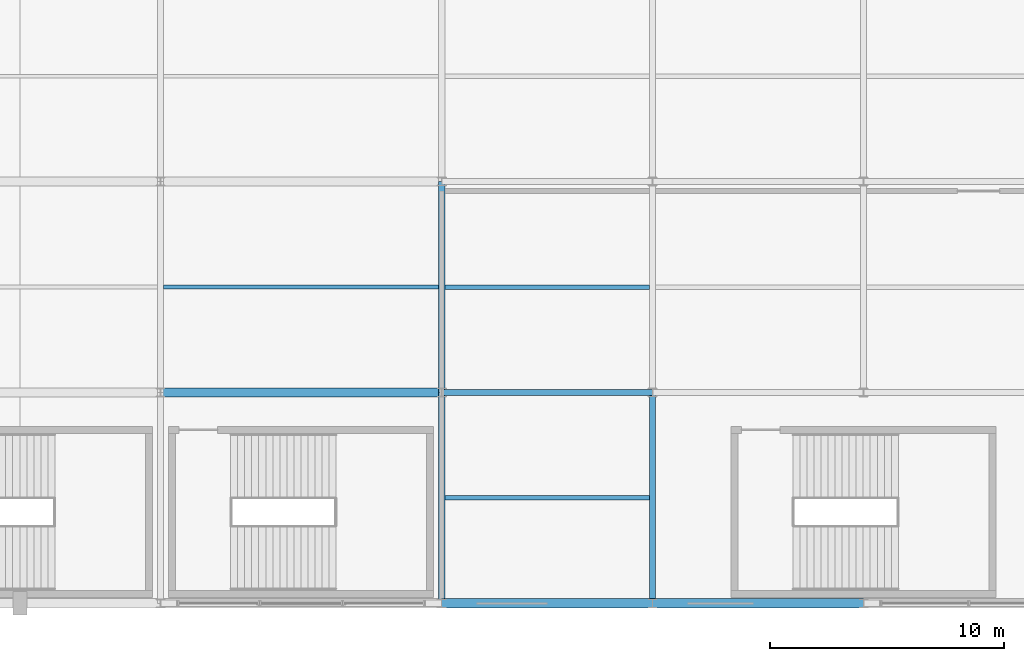
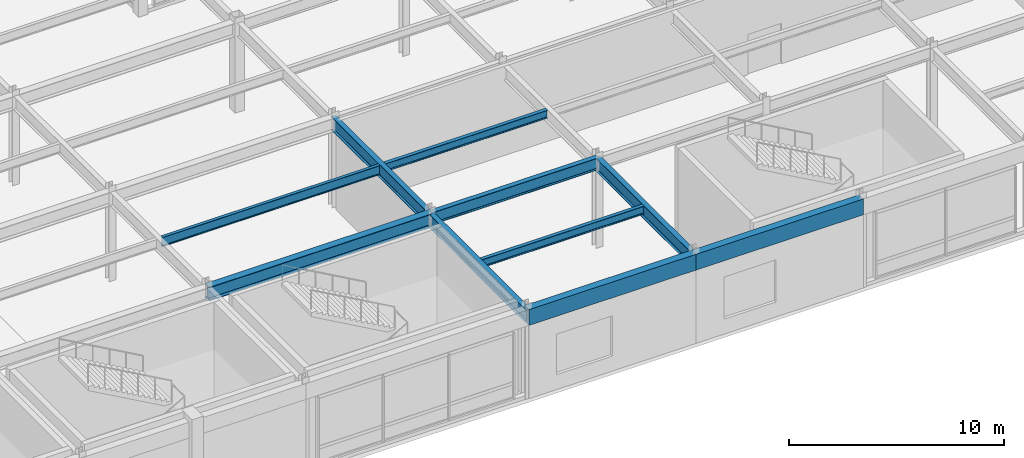
# One storey, part 39 of 100: 10 beams.
"""IFC4 building model written with IfcOpenShell, lengths in metres."""

import ifcopenshell
import ifcopenshell.guid

model = None  # the IFC model being written
_history = None  # IfcOwnerHistory: only IFC2X3 demands one
_inside = {}  # id of a spatial element -> (the spatial element, [elements in it])
_under = {}  # id of a project, library or spatial element -> (it, [spatial elements below it])
_declared = {}  # id of a project -> (the project, [libraries it declares])
_typed = {}  # id of a type object -> (the type object, [elements of that type])
_made_of = {}  # id of a material, layer set ... -> (it, [elements and type objects made of it])


def new_model(schema):
    """Start an empty IFC model of exactly this schema.

    Asked for "IFC4X3", IfcOpenShell would pick the latest addendum, in which some entities
    have other attributes; the version numbers below select the first issue.
    IFC2X3 requires an IfcOwnerHistory on every rooted entity: one is made here for all.
    """
    global model, _history
    if schema == "IFC4X3":
        model = ifcopenshell.file(schema_version=(4, 3, 0, 0))
    else:
        model = ifcopenshell.file(schema=schema)
    _inside.clear()
    _under.clear()
    _declared.clear()
    _typed.clear()
    _made_of.clear()
    _history = None
    if model.schema == "IFC2X3":
        org = make("IfcOrganization", Name="unknown")
        user = make(
            "IfcPersonAndOrganization",
            ThePerson=make("IfcPerson", FamilyName="unknown"),
            TheOrganization=org,
        )
        app = make(
            "IfcApplication",
            ApplicationDeveloper=org,
            Version="unknown",
            ApplicationFullName="unknown",
            ApplicationIdentifier="unknown",
        )
        _history = make(
            "IfcOwnerHistory",
            OwningUser=user,
            OwningApplication=app,
            ChangeAction="ADDED",
            CreationDate=0,
        )
    return model


def make(cls, **values):
    """One entity of the class cls with the attributes given. An attribute that is None is left unset."""
    return model.create_entity(
        cls, **{name: value for name, value in values.items() if value is not None}
    )


def rooted(cls, **values):
    """An entity with a GlobalId (a new one), such as an element, a storey or a relation."""
    return make(cls, GlobalId=ifcopenshell.guid.new(), OwnerHistory=_history, **values)


def si_unit(unit_type, name, prefix=None):
    """IfcSIUnit, for example si_unit("LENGTHUNIT", "METRE", prefix="MILLI")."""
    return make("IfcSIUnit", UnitType=unit_type, Prefix=prefix, Name=name)


def assignment(units):
    """IfcUnitAssignment: the units of a project."""
    return None if units is None else make("IfcUnitAssignment", Units=units)


def point(xyz):
    """IfcCartesianPoint."""
    return None if xyz is None else make("IfcCartesianPoint", Coordinates=xyz)


def direction(xyz):
    """IfcDirection."""
    return None if xyz is None else make("IfcDirection", DirectionRatios=xyz)


def frame(location, z_axis=None, x_axis=None):
    """IfcAxis2Placement3D, a coordinate frame: its origin and axes. An axis left out is left unset."""
    return make(
        "IfcAxis2Placement3D",
        Location=point(location),
        Axis=direction(z_axis),
        RefDirection=direction(x_axis),
    )


def frame_2d(location, x_axis=None):
    """IfcAxis2Placement2D, a coordinate frame in the plane: its origin and x axis."""
    return make(
        "IfcAxis2Placement2D", Location=point(location), RefDirection=direction(x_axis)
    )


def origin():
    """The frame at (0, 0, 0) with its axes left unset."""
    return frame((0.0, 0.0, 0.0))


def origin_2d():
    """The frame at (0, 0) in the plane with its x axis left unset."""
    return frame_2d((0.0, 0.0))


def place(relative_to, where):
    """IfcLocalPlacement: puts the frame where relative to a parent placement (None: the world)."""
    return make(
        "IfcLocalPlacement", PlacementRelTo=relative_to, RelativePlacement=where
    )


def context(
    kind, dimensions, precision=None, world=None, true_north=None, identifier=None
):
    """IfcGeometricRepresentationContext, for example the 3D "Model" context."""
    return make(
        "IfcGeometricRepresentationContext",
        ContextIdentifier=identifier,
        ContextType=kind,
        CoordinateSpaceDimension=dimensions,
        Precision=precision,
        WorldCoordinateSystem=world,
        TrueNorth=true_north,
    )


def subcontext(parent, identifier, kind, view, scale=None):
    """IfcGeometricRepresentationSubContext, for example "Body" below "Model"."""
    return make(
        "IfcGeometricRepresentationSubContext",
        ContextIdentifier=identifier,
        ContextType=kind,
        ParentContext=parent,
        TargetScale=scale,
        TargetView=view,
    )


def project(units=None, contexts=None):
    """IfcProject with its units and contexts."""
    return rooted(
        "IfcProject",
        Name="project",
        RepresentationContexts=contexts,
        UnitsInContext=assignment(units),
    )


def spatial(cls, under=None, at=None, **own):
    """A site, building, storey or space (cls), placed at a placement, below another one or the project."""
    s = rooted(cls, ObjectPlacement=at, **own)
    if under is not None:
        _under.setdefault(under.id(), (under, []))[1].append(s)
    return s


def profile(cls, at=None, kind="AREA", **sizes):
    """A parametric profile (cls). Its sizes go by their IFC names, for example OverallWidth=200.0."""
    return make(cls, ProfileType=kind, Position=at, **sizes)


def rectangle(**sizes):
    """IfcRectangleProfileDef."""
    return profile("IfcRectangleProfileDef", **sizes)


def i_section(**sizes):
    """IfcIShapeProfileDef."""
    return profile("IfcIShapeProfileDef", **sizes)


def extrude(swept, where, along, depth):
    """IfcExtrudedAreaSolid: the profile swept, set in the frame where, extruded along a direction by depth."""
    return make(
        "IfcExtrudedAreaSolid",
        SweptArea=swept,
        Position=where,
        ExtrudedDirection=direction(along),
        Depth=depth,
    )


def shape(context_of_items, identifier, shape_type, items):
    """IfcShapeRepresentation: the items that make up one representation, for example the "Body"."""
    return make(
        "IfcShapeRepresentation",
        ContextOfItems=context_of_items,
        RepresentationIdentifier=identifier,
        RepresentationType=shape_type,
        Items=items,
    )


def material(Name=None, Category=None):
    """IfcMaterial."""
    return make("IfcMaterial", Name=Name, Category=Category)


def material_profile(
    of_material, cross_section, Name=None, Category=None, Priority=None
):
    """IfcMaterialProfile: a cross section and its material."""
    return make(
        "IfcMaterialProfile",
        Name=Name,
        Material=of_material,
        Profile=cross_section,
        Priority=Priority,
        Category=Category,
    )


def profile_set(profiles, Name=None, composite=None):
    """IfcMaterialProfileSet."""
    return make(
        "IfcMaterialProfileSet",
        Name=Name,
        MaterialProfiles=profiles,
        CompositeProfile=composite,
    )


def made_of(thing, what):
    """Note that an element or type object is made of a material, layer set ...; save() writes the relation."""
    if what is not None:
        _made_of.setdefault(what.id(), (what, []))[1].append(thing)
    return thing


def type_object(cls, material=None, **own):
    """A type object (cls), such as IfcWallType, which elements share."""
    return made_of(rooted(cls, **own), material)


def element(
    cls,
    number,
    at=None,
    inside=None,
    cuts=None,
    type_object=None,
    material=None,
    context=None,
    identifier="Body",
    shape_type=None,
    held_by="IfcProductDefinitionShape",
    body=None,
    shapes=None,
    **own,
):
    """One element of the class cls, such as IfcWall. Its Tag is "e" and its number.

    at: its placement. inside: the storey or other place that contains it. cuts: it is an
    opening in that element (IfcRelVoidsElement). A single representation is given by context,
    identifier, shape_type and body (its items); several are given by shapes. held_by: the class
    of the entity that holds the representations. save() writes the other relations.
    """
    e = rooted(cls, Tag="e%d" % number, ObjectPlacement=at, **own)
    if body is not None:
        shapes = [shape(context, identifier, shape_type, body)]
    if shapes is not None:
        e.Representation = make(held_by, Representations=shapes)
    if inside is not None:
        _inside.setdefault(inside.id(), (inside, []))[1].append(e)
    if cuts is not None:
        rooted(
            "IfcRelVoidsElement", RelatingBuildingElement=cuts, RelatedOpeningElement=e
        )
    if type_object is not None:
        _typed.setdefault(type_object.id(), (type_object, []))[1].append(e)
    return made_of(e, material)


def aggregate(whole, parts):
    """IfcRelAggregates: a whole, such as a stair, and the parts it consists of."""
    return rooted("IfcRelAggregates", RelatingObject=whole, RelatedObjects=parts)


def save(model, path):
    """Write the relations noted so far, then the file.

    IfcRelAggregates (storeys below a building ...), IfcRelContainedInSpatialStructure (elements
    in a storey), IfcRelDefinesByType, IfcRelAssociatesMaterial and IfcRelDeclares: one each for
    every whole, place, type object, material and project.
    """
    for whole, parts in _under.values():
        aggregate(whole, parts)
    for where, things in _inside.values():
        rooted(
            "IfcRelContainedInSpatialStructure",
            RelatedElements=things,
            RelatingStructure=where,
        )
    for kind, things in _typed.values():
        rooted("IfcRelDefinesByType", RelatedObjects=things, RelatingType=kind)
    for what, things in _made_of.values():
        rooted("IfcRelAssociatesMaterial", RelatedObjects=things, RelatingMaterial=what)
    for by, libraries in _declared.values():
        rooted("IfcRelDeclares", RelatingContext=by, RelatedDefinitions=libraries)
    model.write(path)


model = new_model("IFC4")

# Units and contexts
model_context = context("Model", 3, precision=1e-05, world=origin(), true_north=direction((0.0, 1.0)))
body_context = subcontext(model_context, "Body", "Model", "MODEL_VIEW")
ifc_project = project(units=[si_unit("LENGTHUNIT", "METRE"), si_unit("AREAUNIT", "SQUARE_METRE"), si_unit("VOLUMEUNIT", "CUBIC_METRE"), si_unit("PLANEANGLEUNIT", "RADIAN"), si_unit("MASSUNIT", "GRAM", prefix="KILO")], contexts=[model_context])

# Site, building, storey
site_placement = place(None, origin())
site = spatial("IfcSite", under=ifc_project, at=site_placement, CompositionType="ELEMENT")
building_placement = place(site_placement, origin())
building = spatial("IfcBuilding", under=site, at=building_placement, Name="Kaldorvane Square Convention Centre", CompositionType="ELEMENT")
storey_placement = place(building_placement, frame((0.0, 0.0, 18.0)))
storey = spatial("IfcBuildingStorey", under=building, at=storey_placement, Name="L03", CompositionType="ELEMENT", Elevation=18.0)

# Beams
ifc_material_1 = material(Name="Steel ASTM A992 Gr. 50", Category="steel")
ifc_material_profile_1 = material_profile(ifc_material_1, i_section(OverallWidth=0.25439453125, OverallDepth=0.6880950927734375, WebThickness=0.0131072998046875, FlangeThickness=0.0211029052734375, FilletRadius=0.01519775390625, at=origin_2d()), Name="W27X102")
ifc_profile_set_1 = profile_set([ifc_material_profile_1], Name="Steel ASTM A992 Gr. 50")
beam_type_1 = type_object("IfcBeamType", Name="BM-GR-W27X102", PredefinedType="BEAM", material=ifc_profile_set_1)
beam_1_placement = place(storey_placement, frame((138.0, 9.0, 4.731903076171875), z_axis=(1.0, 0.0, 0.0), x_axis=(0.0, 1.0, 0.0)))
element("IfcBeam", 1, at=beam_1_placement, inside=storey, type_object=beam_type_1, Name="Primary Girder (L03)", PredefinedType="BEAM", context=body_context, shape_type="SweptSolid", body=[
    extrude(i_section(OverallWidth=0.25439453125, OverallDepth=0.6880950927734375, WebThickness=0.0131072998046875, FlangeThickness=0.0211029052734375, FilletRadius=0.01519775390625, at=origin_2d()), origin(), (0.0, 0.0, 1.0), 9.0),
])
ifc_material_profile_2 = material_profile(ifc_material_1, i_section(OverallWidth=0.2666015625, OverallDepth=0.762298583984375, WebThickness=0.014404296875, FlangeThickness=0.0216064453125, FilletRadius=0.0164947509765625, at=origin_2d()), Name="W30X116")
ifc_profile_set_2 = profile_set([ifc_material_profile_2], Name="Steel ASTM A992 Gr. 50")
beam_type_2 = type_object("IfcBeamType", Name="BM-GR-W30X116", PredefinedType="BEAM", material=ifc_profile_set_2)
for number, where, z_axis, x_axis, name in (
    (2, (138.0, 0.0, 4.694793701171875), (0.0, 1.0, 0.0), (-1.0, 0.0, 0.0), "Transverse Girder (L03)"),
    (3, (138.0, 9.0, 4.694793701171875), (0.0, 1.0, 0.0), (-1.0, 0.0, 0.0), "Transverse Girder (L03)"),
    (4, (147.0, 0.0, 4.694793701171875), (0.0, 1.0, 0.0), (-1.0, 0.0, 0.0), "Transverse Girder (L03)"),
):
    element("IfcBeam", number, at=place(storey_placement, frame(where, z_axis=z_axis, x_axis=x_axis)), inside=storey, type_object=beam_type_2, Name=name, PredefinedType="BEAM", context=body_context, shape_type="SweptSolid", body=[
        extrude(i_section(OverallWidth=0.2666015625, OverallDepth=0.762298583984375, WebThickness=0.014404296875, FlangeThickness=0.0216064453125, FilletRadius=0.0164947509765625, at=origin_2d()), origin(), (0.0, 0.0, 1.0), 9.0),
    ])
ifc_material_profile_3 = material_profile(ifc_material_1, i_section(OverallWidth=0.380706787109375, OverallDepth=0.773193359375, WebThickness=0.0166015625, FlangeThickness=0.027099609375, FilletRadius=0.0164947509765625, at=origin_2d()), Name="W30X173")
ifc_profile_set_3 = profile_set([ifc_material_profile_3], Name="Steel ASTM A992 Gr. 50")
beam_type_3 = type_object("IfcBeamType", Name="BM-GR-W30X173", PredefinedType="BEAM", material=ifc_profile_set_3)
beam_2_placement = place(storey_placement, frame((126.0, 9.0, 4.6894073486328125), z_axis=(1.0, 0.0, 0.0), x_axis=(0.0, 1.0, 0.0)))
element("IfcBeam", 5, at=beam_2_placement, inside=storey, type_object=beam_type_3, Name="Primary Girder (L03)", PredefinedType="BEAM", context=body_context, shape_type="SweptSolid", body=[
    extrude(i_section(OverallWidth=0.380706787109375, OverallDepth=0.773193359375, WebThickness=0.0166015625, FlangeThickness=0.027099609375, FilletRadius=0.0164947509765625, at=origin_2d()), origin(), (0.0, 0.0, 1.0), 12.0),
])
ifc_material_profile_4 = material_profile(ifc_material_1, i_section(OverallWidth=0.1912994384765625, OverallDepth=0.4600067138671875, WebThickness=0.0099029541015625, FlangeThickness=0.0160064697265625, FilletRadius=0.01019287109375, at=origin_2d()), Name="W18X55")
ifc_profile_set_4 = profile_set([ifc_material_profile_4], Name="Steel ASTM A992 Gr. 50")
beam_type_4 = type_object("IfcBeamType", Name="BM-JS-W18X55", PredefinedType="JOIST", material=ifc_profile_set_4)
for number, where, z_axis, x_axis, name in (
    (6, (138.13330078125, 4.5, 4.8459930419921875), (1.0, 0.0, 0.0), (0.0, 1.0, 0.0), "Secondary Floor Joist (L03)"),
    (7, (138.13330078125, 13.5, 4.8459930419921875), (1.0, 0.0, 0.0), (0.0, 1.0, 0.0), "Secondary Floor Joist (L03)"),
):
    element("IfcBeam", number, at=place(storey_placement, frame(where, z_axis=z_axis, x_axis=x_axis)), inside=storey, type_object=beam_type_4, Name=name, PredefinedType="JOIST", context=body_context, shape_type="SweptSolid", body=[
        extrude(i_section(OverallWidth=0.1912994384765625, OverallDepth=0.4600067138671875, WebThickness=0.0099029541015625, FlangeThickness=0.0160064697265625, FilletRadius=0.01019287109375, at=origin_2d()), origin(), (0.0, 0.0, 1.0), 8.7333984375),
    ])
ifc_material_profile_5 = material_profile(ifc_material_1, i_section(OverallWidth=0.1658935546875, OverallDepth=0.5290985107421875, WebThickness=0.00970458984375, FlangeThickness=0.0135955810546875, FilletRadius=0.0126953125, at=origin_2d()), Name="W21X50")
ifc_profile_set_5 = profile_set([ifc_material_profile_5], Name="Steel ASTM A992 Gr. 50")
beam_type_5 = type_object("IfcBeamType", Name="BM-JS-W21X50", PredefinedType="JOIST", material=ifc_profile_set_5)
beam_3_placement = place(storey_placement, frame((126.13330078125, 13.5, 4.8114013671875), z_axis=(1.0, 0.0, 0.0), x_axis=(0.0, 1.0, 0.0)))
element("IfcBeam", 8, at=beam_3_placement, inside=storey, type_object=beam_type_5, Name="Secondary Floor Joist (L03)", PredefinedType="JOIST", context=body_context, shape_type="SweptSolid", body=[
    extrude(i_section(OverallWidth=0.1658935546875, OverallDepth=0.5290985107421875, WebThickness=0.00970458984375, FlangeThickness=0.0135955810546875, FilletRadius=0.0126953125, at=origin_2d()), origin(), (0.0, 0.0, 1.0), 11.7333984375),
])
ifc_material_2 = material(Name="Concrete f'c = 42 MPa (Normalweight)", Category="concrete")
ifc_material_profile_6 = material_profile(ifc_material_2, rectangle(XDim=0.399993896484375, YDim=0.899993896484375, at=origin_2d()), Name="RCSP900X400")
ifc_profile_set_6 = profile_set([ifc_material_profile_6], Name="Concrete f'c = 42 MPa (Normalweight)")
beam_type_6 = type_object("IfcBeamType", Name="BM-SP-RC900", PredefinedType="SPANDREL", material=ifc_profile_set_6)
for number, where, z_axis, x_axis, name in (
    (9, (138.0, 0.0, 4.626007080078125), (1.0, 0.0, 0.0), (0.0, 1.0, 0.0), "Perimeter Spandrel (L03)"),
    (10, (147.0, 0.0, 4.626007080078125), (1.0, 0.0, 0.0), (0.0, 1.0, 0.0), "Perimeter Spandrel (L03)"),
):
    element("IfcBeam", number, at=place(storey_placement, frame(where, z_axis=z_axis, x_axis=x_axis)), inside=storey, type_object=beam_type_6, Name=name, PredefinedType="SPANDREL", context=body_context, shape_type="SweptSolid", body=[
        extrude(rectangle(XDim=0.399993896484375, YDim=0.899993896484375, at=origin_2d()), origin(), (0.0, 0.0, 1.0), 9.0),
    ])

save(model, "model.ifc")
